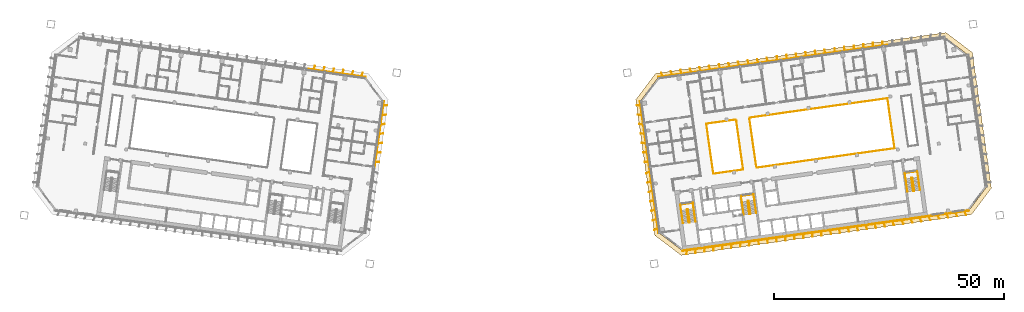
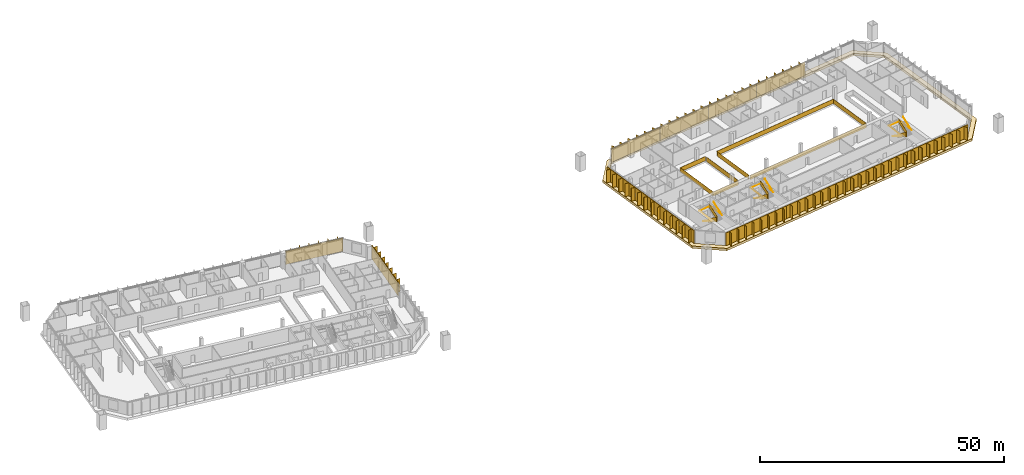
# One storey, part 26 of 27: 12 shading devices, 10 railings, 1 covering.
"""IFC4 building model written with IfcOpenShell, lengths in metres."""

import ifcopenshell
import ifcopenshell.guid

model = None  # the IFC model being written
_history = None  # IfcOwnerHistory: only IFC2X3 demands one
_inside = {}  # id of a spatial element -> (the spatial element, [elements in it])
_under = {}  # id of a project, library or spatial element -> (it, [spatial elements below it])
_declared = {}  # id of a project -> (the project, [libraries it declares])
_typed = {}  # id of a type object -> (the type object, [elements of that type])
_made_of = {}  # id of a material, layer set ... -> (it, [elements and type objects made of it])


def new_model(schema):
    """Start an empty IFC model of exactly this schema.

    Asked for "IFC4X3", IfcOpenShell would pick the latest addendum, in which some entities
    have other attributes; the version numbers below select the first issue.
    IFC2X3 requires an IfcOwnerHistory on every rooted entity: one is made here for all.
    """
    global model, _history
    if schema == "IFC4X3":
        model = ifcopenshell.file(schema_version=(4, 3, 0, 0))
    else:
        model = ifcopenshell.file(schema=schema)
    _inside.clear()
    _under.clear()
    _declared.clear()
    _typed.clear()
    _made_of.clear()
    _history = None
    if model.schema == "IFC2X3":
        org = make("IfcOrganization", Name="unknown")
        user = make(
            "IfcPersonAndOrganization",
            ThePerson=make("IfcPerson", FamilyName="unknown"),
            TheOrganization=org,
        )
        app = make(
            "IfcApplication",
            ApplicationDeveloper=org,
            Version="unknown",
            ApplicationFullName="unknown",
            ApplicationIdentifier="unknown",
        )
        _history = make(
            "IfcOwnerHistory",
            OwningUser=user,
            OwningApplication=app,
            ChangeAction="ADDED",
            CreationDate=0,
        )
    return model


def make(cls, **values):
    """One entity of the class cls with the attributes given. An attribute that is None is left unset."""
    return model.create_entity(
        cls, **{name: value for name, value in values.items() if value is not None}
    )


def rooted(cls, **values):
    """An entity with a GlobalId (a new one), such as an element, a storey or a relation."""
    return make(cls, GlobalId=ifcopenshell.guid.new(), OwnerHistory=_history, **values)


def si_unit(unit_type, name, prefix=None):
    """IfcSIUnit, for example si_unit("LENGTHUNIT", "METRE", prefix="MILLI")."""
    return make("IfcSIUnit", UnitType=unit_type, Prefix=prefix, Name=name)


def assignment(units):
    """IfcUnitAssignment: the units of a project."""
    return None if units is None else make("IfcUnitAssignment", Units=units)


def point(xyz):
    """IfcCartesianPoint."""
    return None if xyz is None else make("IfcCartesianPoint", Coordinates=xyz)


def direction(xyz):
    """IfcDirection."""
    return None if xyz is None else make("IfcDirection", DirectionRatios=xyz)


def frame(location, z_axis=None, x_axis=None):
    """IfcAxis2Placement3D, a coordinate frame: its origin and axes. An axis left out is left unset."""
    return make(
        "IfcAxis2Placement3D",
        Location=point(location),
        Axis=direction(z_axis),
        RefDirection=direction(x_axis),
    )


def frame_2d(location, x_axis=None):
    """IfcAxis2Placement2D, a coordinate frame in the plane: its origin and x axis."""
    return make(
        "IfcAxis2Placement2D", Location=point(location), RefDirection=direction(x_axis)
    )


def origin():
    """The frame at (0, 0, 0) with its axes left unset."""
    return frame((0.0, 0.0, 0.0))


def origin_2d():
    """The frame at (0, 0) in the plane with its x axis left unset."""
    return frame_2d((0.0, 0.0))


def place(relative_to, where):
    """IfcLocalPlacement: puts the frame where relative to a parent placement (None: the world)."""
    return make(
        "IfcLocalPlacement", PlacementRelTo=relative_to, RelativePlacement=where
    )


def context(
    kind, dimensions, precision=None, world=None, true_north=None, identifier=None
):
    """IfcGeometricRepresentationContext, for example the 3D "Model" context."""
    return make(
        "IfcGeometricRepresentationContext",
        ContextIdentifier=identifier,
        ContextType=kind,
        CoordinateSpaceDimension=dimensions,
        Precision=precision,
        WorldCoordinateSystem=world,
        TrueNorth=true_north,
    )


def subcontext(parent, identifier, kind, view, scale=None):
    """IfcGeometricRepresentationSubContext, for example "Body" below "Model"."""
    return make(
        "IfcGeometricRepresentationSubContext",
        ContextIdentifier=identifier,
        ContextType=kind,
        ParentContext=parent,
        TargetScale=scale,
        TargetView=view,
    )


def project(units=None, contexts=None):
    """IfcProject with its units and contexts."""
    return rooted(
        "IfcProject",
        Name="project",
        RepresentationContexts=contexts,
        UnitsInContext=assignment(units),
    )


def spatial(cls, under=None, at=None, **own):
    """A site, building, storey or space (cls), placed at a placement, below another one or the project."""
    s = rooted(cls, ObjectPlacement=at, **own)
    if under is not None:
        _under.setdefault(under.id(), (under, []))[1].append(s)
    return s


def polyline(points):
    """IfcPolyline through the points."""
    return make("IfcPolyline", Points=[point(p) for p in points])


def profile(cls, at=None, kind="AREA", **sizes):
    """A parametric profile (cls). Its sizes go by their IFC names, for example OverallWidth=200.0."""
    return make(cls, ProfileType=kind, Position=at, **sizes)


def rectangle(**sizes):
    """IfcRectangleProfileDef."""
    return profile("IfcRectangleProfileDef", **sizes)


def outline(outer, holes=None, kind="AREA"):
    """IfcArbitraryClosedProfileDef: a profile drawn as a closed curve; with holes, ...WithVoids."""
    if holes is None:
        return make("IfcArbitraryClosedProfileDef", ProfileType=kind, OuterCurve=outer)
    return make(
        "IfcArbitraryProfileDefWithVoids",
        ProfileType=kind,
        OuterCurve=outer,
        InnerCurves=holes,
    )


def extrude(swept, where, along, depth):
    """IfcExtrudedAreaSolid: the profile swept, set in the frame where, extruded along a direction by depth."""
    return make(
        "IfcExtrudedAreaSolid",
        SweptArea=swept,
        Position=where,
        ExtrudedDirection=direction(along),
        Depth=depth,
    )


def shape(context_of_items, identifier, shape_type, items):
    """IfcShapeRepresentation: the items that make up one representation, for example the "Body"."""
    return make(
        "IfcShapeRepresentation",
        ContextOfItems=context_of_items,
        RepresentationIdentifier=identifier,
        RepresentationType=shape_type,
        Items=items,
    )


def material(Name=None, Category=None):
    """IfcMaterial."""
    return make("IfcMaterial", Name=Name, Category=Category)


def layer(
    of_material, thickness, ventilated=None, Name=None, Category=None, Priority=None
):
    """IfcMaterialLayer: one layer of a wall or slab, of a material (None: an air gap)."""
    return make(
        "IfcMaterialLayer",
        Material=of_material,
        LayerThickness=thickness,
        IsVentilated=ventilated,
        Name=Name,
        Category=Category,
        Priority=Priority,
    )


def layer_set(layers, Name=None):
    """IfcMaterialLayerSet."""
    return make("IfcMaterialLayerSet", MaterialLayers=layers, LayerSetName=Name)


def made_of(thing, what):
    """Note that an element or type object is made of a material, layer set ...; save() writes the relation."""
    if what is not None:
        _made_of.setdefault(what.id(), (what, []))[1].append(thing)
    return thing


def type_object(cls, material=None, **own):
    """A type object (cls), such as IfcWallType, which elements share."""
    return made_of(rooted(cls, **own), material)


def element(
    cls,
    number,
    at=None,
    inside=None,
    cuts=None,
    type_object=None,
    material=None,
    context=None,
    identifier="Body",
    shape_type=None,
    held_by="IfcProductDefinitionShape",
    body=None,
    shapes=None,
    **own,
):
    """One element of the class cls, such as IfcWall. Its Tag is "e" and its number.

    at: its placement. inside: the storey or other place that contains it. cuts: it is an
    opening in that element (IfcRelVoidsElement). A single representation is given by context,
    identifier, shape_type and body (its items); several are given by shapes. held_by: the class
    of the entity that holds the representations. save() writes the other relations.
    """
    e = rooted(cls, Tag="e%d" % number, ObjectPlacement=at, **own)
    if body is not None:
        shapes = [shape(context, identifier, shape_type, body)]
    if shapes is not None:
        e.Representation = make(held_by, Representations=shapes)
    if inside is not None:
        _inside.setdefault(inside.id(), (inside, []))[1].append(e)
    if cuts is not None:
        rooted(
            "IfcRelVoidsElement", RelatingBuildingElement=cuts, RelatedOpeningElement=e
        )
    if type_object is not None:
        _typed.setdefault(type_object.id(), (type_object, []))[1].append(e)
    return made_of(e, material)


def aggregate(whole, parts):
    """IfcRelAggregates: a whole, such as a stair, and the parts it consists of."""
    return rooted("IfcRelAggregates", RelatingObject=whole, RelatedObjects=parts)


def save(model, path):
    """Write the relations noted so far, then the file.

    IfcRelAggregates (storeys below a building ...), IfcRelContainedInSpatialStructure (elements
    in a storey), IfcRelDefinesByType, IfcRelAssociatesMaterial and IfcRelDeclares: one each for
    every whole, place, type object, material and project.
    """
    for whole, parts in _under.values():
        aggregate(whole, parts)
    for where, things in _inside.values():
        rooted(
            "IfcRelContainedInSpatialStructure",
            RelatedElements=things,
            RelatingStructure=where,
        )
    for kind, things in _typed.values():
        rooted("IfcRelDefinesByType", RelatedObjects=things, RelatingType=kind)
    for what, things in _made_of.values():
        rooted("IfcRelAssociatesMaterial", RelatedObjects=things, RelatingMaterial=what)
    for by, libraries in _declared.values():
        rooted("IfcRelDeclares", RelatingContext=by, RelatedDefinitions=libraries)
    model.write(path)


model = new_model("IFC4")

# Units and contexts
model_context = context("Model", 3, precision=1e-05, world=origin(), true_north=direction((0.0, 1.0)))
body_context = subcontext(model_context, "Body", "Model", "MODEL_VIEW")
ifc_project = project(units=[si_unit("LENGTHUNIT", "METRE"), si_unit("AREAUNIT", "SQUARE_METRE"), si_unit("VOLUMEUNIT", "CUBIC_METRE"), si_unit("PLANEANGLEUNIT", "RADIAN"), si_unit("MASSUNIT", "GRAM", prefix="KILO")], contexts=[model_context])

# Site, building, storey
site_placement = place(None, origin())
site = spatial("IfcSite", under=ifc_project, at=site_placement, CompositionType="ELEMENT")
building_placement = place(site_placement, origin())
building = spatial("IfcBuilding", under=site, at=building_placement, Name="Mirante Cascada Hotel Towers", CompositionType="ELEMENT")
storey_placement = place(building_placement, frame((0.0, 0.0, 117.7)))
storey = spatial("IfcBuildingStorey", under=building, at=storey_placement, Name="L26", CompositionType="ELEMENT", Elevation=117.7)

# Railings
ifc_material_1 = material(Name="Toughened glass with stainless steel handrail", Category="steel")
railing_type_1 = type_object("IfcRailingType", Name="Atrium guard 1100 glass balustrade", PredefinedType="GUARDRAIL", material=ifc_material_1)
railing_1_placement = place(storey_placement, frame((48.76, 8.3112, 0.0)))
element("IfcRailing", 1, at=railing_1_placement, inside=storey, type_object=railing_type_1, Name="GUARD 2-L26-1", PredefinedType="GUARDRAIL", context=body_context, shape_type="SweptSolid", body=[
    extrude(rectangle(XDim=0.048, YDim=0.048, at=origin_2d()), frame((0.0, 0.0, 1.076), z_axis=(-0.9902694, -0.1391638, 0.0), x_axis=(0.1391638, -0.9902694, 0.0)), (0.0, 0.0, 1.0), 6.5125),
    extrude(rectangle(XDim=0.02, YDim=1.052, at=origin_2d()), frame((0.0, 0.0, 0.526), z_axis=(-0.9902694, -0.1391638, 0.0), x_axis=(0.1391638, -0.9902694, 0.0)), (0.0, 0.0, 1.0), 6.5125),
    extrude(rectangle(XDim=0.048, YDim=0.048, at=origin_2d()), frame((-6.4491, -0.9063, 1.076), z_axis=(0.1391721, -0.9902682, 0.0), x_axis=(0.9902682, 0.1391721, 0.0)), (0.0, 0.0, 1.0), 11.0001),
    extrude(rectangle(XDim=0.02, YDim=1.052, at=origin_2d()), frame((-6.4491, -0.9063, 0.526), z_axis=(0.1391721, -0.9902682, 0.0), x_axis=(0.9902682, 0.1391721, 0.0)), (0.0, 0.0, 1.0), 11.0001),
    extrude(rectangle(XDim=0.048, YDim=0.048, at=origin_2d()), frame((-4.9182, -11.7993, 1.076), z_axis=(0.9902673, 0.1391788, 0.0), x_axis=(-0.1391788, 0.9902673, 0.0)), (0.0, 0.0, 1.0), 6.5125),
    extrude(rectangle(XDim=0.02, YDim=1.052, at=origin_2d()), frame((-4.9182, -11.7993, 0.526), z_axis=(0.9902673, 0.1391788, 0.0), x_axis=(-0.1391788, 0.9902673, 0.0)), (0.0, 0.0, 1.0), 6.5125),
])
railing_2_placement = place(storey_placement, frame((53.2617, -2.1642, 0.0)))
element("IfcRailing", 2, at=railing_2_placement, inside=storey, type_object=railing_type_1, Name="GUARD 2-L26-2", PredefinedType="GUARDRAIL", context=body_context, shape_type="SweptSolid", body=[
    extrude(rectangle(XDim=0.048, YDim=0.048, at=origin_2d()), frame((0.0, 0.0, 1.076), z_axis=(0.9902682, 0.1391722, 0.0), x_axis=(-0.1391722, 0.9902682, 0.0)), (0.0, 0.0, 1.0), 30.325),
    extrude(rectangle(XDim=0.02, YDim=1.052, at=origin_2d()), frame((0.0, 0.0, 0.526), z_axis=(0.9902682, 0.1391722, 0.0), x_axis=(-0.1391722, 0.9902682, 0.0)), (0.0, 0.0, 1.0), 30.325),
    extrude(rectangle(XDim=0.048, YDim=0.048, at=origin_2d()), frame((30.0299, 4.2204, 1.076), z_axis=(-0.1391721, 0.9902682, 0.0), x_axis=(-0.9902682, -0.1391721, 0.0)), (0.0, 0.0, 1.0), 11.0001),
    extrude(rectangle(XDim=0.02, YDim=1.052, at=origin_2d()), frame((30.0299, 4.2204, 0.526), z_axis=(-0.1391721, 0.9902682, 0.0), x_axis=(-0.9902682, -0.1391721, 0.0)), (0.0, 0.0, 1.0), 11.0001),
    extrude(rectangle(XDim=0.048, YDim=0.048, at=origin_2d()), frame((28.499, 15.1134, 1.076), z_axis=(-0.9902682, -0.1391722, 0.0), x_axis=(0.1391722, -0.9902682, 0.0)), (0.0, 0.0, 1.0), 30.325),
    extrude(rectangle(XDim=0.02, YDim=1.052, at=origin_2d()), frame((28.499, 15.1134, 0.526), z_axis=(-0.9902682, -0.1391722, 0.0), x_axis=(0.1391722, -0.9902682, 0.0)), (0.0, 0.0, 1.0), 30.325),
])
railing_3_placement = place(storey_placement, frame((50.2983, -2.2822, 0.0)))
element("IfcRailing", 3, at=railing_3_placement, inside=storey, type_object=railing_type_1, Name="GUARD 2-L26-4", PredefinedType="GUARDRAIL", context=body_context, shape_type="SweptSolid", body=[
    extrude(rectangle(XDim=0.048, YDim=0.048, at=origin_2d()), frame((0.0, 0.0, 1.076), z_axis=(-0.1391708, 0.9902684, 0.0), x_axis=(-0.9902684, -0.1391708, 0.0)), (0.0, 0.0, 1.0), 10.4088),
    extrude(rectangle(XDim=0.02, YDim=1.052, at=origin_2d()), frame((0.0, 0.0, 0.526), z_axis=(-0.1391708, 0.9902684, 0.0), x_axis=(-0.9902684, -0.1391708, 0.0)), (0.0, 0.0, 1.0), 10.4088),
])
railing_4_placement = place(storey_placement, frame((51.7234, 8.4292, 0.0)))
element("IfcRailing", 4, at=railing_4_placement, inside=storey, type_object=railing_type_1, Name="GUARD 2-L26-5", PredefinedType="GUARDRAIL", context=body_context, shape_type="SweptSolid", body=[
    extrude(rectangle(XDim=0.048, YDim=0.048, at=origin_2d()), frame((0.0, 0.0, 1.076), z_axis=(0.1391721, -0.9902682, 0.0), x_axis=(0.9902682, 0.1391721, 0.0)), (0.0, 0.0, 1.0), 10.4087),
    extrude(rectangle(XDim=0.02, YDim=1.052, at=origin_2d()), frame((0.0, 0.0, 0.526), z_axis=(0.1391721, -0.9902682, 0.0), x_axis=(0.9902682, 0.1391721, 0.0)), (0.0, 0.0, 1.0), 10.4087),
])

# Covering
ifc_material_2 = material(Name="Precast concrete C40/50 white", Category="concrete")
ifc_layer = layer(ifc_material_2, 0.6)
ifc_layer_set = layer_set([ifc_layer], Name="Precast concrete SUNSHADE band 1000x600")
covering_type = type_object("IfcCoveringType", Name="Precast concrete SUNSHADE band 1000x600", PredefinedType="CLADDING", material=ifc_layer_set)
covering_placement = place(storey_placement, frame((0.0, 0.0, -0.45)))
element("IfcCovering", 5, at=covering_placement, inside=storey, type_object=covering_type, Name="Precast concrete SUNSHADE band T2 L26", PredefinedType="CLADDING", context=body_context, shape_type="SweptSolid", body=[
    extrude(outline(polyline([(26.9341, 12.6299), (31.2626, 18.374), (94.4698, 27.2572), (100.2139, 22.9287), (104.3652, -6.6094), (100.0367, -12.3535), (36.8295, -21.2367), (31.0854, -16.9082), (26.9341, 12.6299)]), holes=[polyline([(103.3173, -6.3384), (99.2813, 22.3794), (94.1988, 26.2093), (31.8119, 17.4414), (27.982, 12.3589), (32.018, -16.3589), (37.1005, -20.1888), (99.4874, -11.4209), (103.3173, -6.3384)])]), origin(), (0.0, 0.0, 1.0), 0.6),
])

# Railings
ifc_material_3 = material(Name="Painted steel", Category="steel")
railing_type_2 = type_object("IfcRailingType", Name="Stair guard 1100 steel balustrade", PredefinedType="GUARDRAIL", material=ifc_material_3)
railing_5_placement = place(storey_placement, frame((38.2663, -11.2395, 0.0)))
element("IfcRailing", 6, at=railing_5_placement, inside=storey, type_object=railing_type_2, Name="L26 ST2-A stair guard 1", PredefinedType="GUARDRAIL", context=body_context, shape_type="SweptSolid", body=[
    extrude(rectangle(XDim=0.048, YDim=0.048, at=origin_2d()), frame((0.0, 0.0, 1.076), z_axis=(-0.9903326, -0.1387133, 0.0), x_axis=(0.1387133, -0.9903326, 0.0)), (0.0, 0.0, 1.0), 0.1499),
    extrude(rectangle(XDim=0.02, YDim=1.052, at=origin_2d()), frame((0.0, 0.0, 0.526), z_axis=(-0.9903326, -0.1387133, 0.0), x_axis=(0.1387133, -0.9903326, 0.0)), (0.0, 0.0, 1.0), 0.1499),
    extrude(rectangle(XDim=0.048, YDim=0.048, at=origin_2d()), frame((-0.1485, -0.0208, 1.076), z_axis=(-0.6020331, -0.7984711, 0.0), x_axis=(0.7984711, -0.6020331, 0.0)), (0.0, 0.9253398, 0.3791387), 0.1866),
    extrude(rectangle(XDim=0.02, YDim=1.052, at=origin_2d()), frame((-0.1485, -0.0208, 0.526), z_axis=(-0.6020331, -0.7984711, 0.0), x_axis=(0.7984711, -0.6020331, 0.0)), (0.0, 0.9253398, 0.3791387), 0.1866),
    extrude(rectangle(XDim=0.048, YDim=0.048, at=origin_2d()), frame((-0.1911, -0.0773, 1.2487), z_axis=(0.139176, -0.9902677, 0.0), x_axis=(0.9902677, 0.139176, 0.0)), (0.0, 0.5250212, 0.8510891), 3.29),
    extrude(rectangle(XDim=0.02, YDim=1.052, at=origin_2d()), frame((-0.1911, -0.0773, 0.6987), z_axis=(0.139176, -0.9902677, 0.0), x_axis=(0.9902677, 0.139176, 0.0)), (0.0, 0.5250212, 0.8510891), 3.29),
    extrude(rectangle(XDim=0.048, YDim=0.048, at=origin_2d()), frame((0.1986, -2.8501, 2.976), z_axis=(0.9944948, -0.1047858, 0.0), x_axis=(0.1047858, 0.9944948, 0.0)), (0.0, 0.0, 1.0), 0.2061),
    extrude(rectangle(XDim=0.02, YDim=1.052, at=origin_2d()), frame((0.1986, -2.8501, 2.426), z_axis=(0.9944948, -0.1047858, 0.0), x_axis=(0.1047858, 0.9944948, 0.0)), (0.0, 0.0, 1.0), 0.2061),
    extrude(rectangle(XDim=0.048, YDim=0.048, at=origin_2d()), frame((0.4036, -2.8717, 2.976), z_axis=(-0.9902408, -0.1393672, 0.0), x_axis=(0.1393672, -0.9902408, 0.0)), (0.0, 0.0, 1.0), 0.15),
    extrude(rectangle(XDim=0.02, YDim=1.052, at=origin_2d()), frame((0.4036, -2.8717, 2.426), z_axis=(-0.9902408, -0.1393672, 0.0), x_axis=(0.1393672, -0.9902408, 0.0)), (0.0, 0.0, 1.0), 0.15),
    extrude(rectangle(XDim=0.048, YDim=0.048, at=origin_2d()), frame((0.2551, -2.8926, 2.976), z_axis=(0.9270311, 0.3749843, 0.0), x_axis=(-0.3749843, 0.9270311, 0.0)), (0.0, 0.6421903, 0.7665452), 0.2689),
    extrude(rectangle(XDim=0.02, YDim=1.052, at=origin_2d()), frame((0.2551, -2.8926, 2.426), z_axis=(0.9270311, 0.3749843, 0.0), x_axis=(-0.3749843, 0.9270311, 0.0)), (0.0, 0.6421903, 0.7665452), 0.2689),
    extrude(rectangle(XDim=0.048, YDim=0.048, at=origin_2d()), frame((0.4462, -2.8153, 3.1487), z_axis=(-0.139176, 0.9902677, 0.0), x_axis=(-0.9902677, -0.139176, 0.0)), (0.0, 0.5250212, 0.8510891), 3.29),
    extrude(rectangle(XDim=0.02, YDim=1.052, at=origin_2d()), frame((0.4462, -2.8153, 2.5987), z_axis=(-0.139176, 0.9902677, 0.0), x_axis=(-0.9902677, -0.139176, 0.0)), (0.0, 0.5250212, 0.8510891), 3.29),
])
railing_6_placement = place(storey_placement, frame((51.4864, -9.3815, 0.0)))
element("IfcRailing", 7, at=railing_6_placement, inside=storey, type_object=railing_type_2, Name="L26 ST2-B stair guard 1", PredefinedType="GUARDRAIL", context=body_context, shape_type="SweptSolid", body=[
    extrude(rectangle(XDim=0.048, YDim=0.048, at=origin_2d()), frame((0.0, 0.0, 1.076), z_axis=(-0.9902408, -0.1393672, 0.0), x_axis=(0.1393672, -0.9902408, 0.0)), (0.0, 0.0, 1.0), 0.15),
    extrude(rectangle(XDim=0.02, YDim=1.052, at=origin_2d()), frame((0.0, 0.0, 0.526), z_axis=(-0.9902408, -0.1393672, 0.0), x_axis=(0.1393672, -0.9902408, 0.0)), (0.0, 0.0, 1.0), 0.15),
    extrude(rectangle(XDim=0.048, YDim=0.048, at=origin_2d()), frame((-0.1485, -0.0209, 1.076), z_axis=(-0.6020331, -0.7984711, 0.0), x_axis=(0.7984711, -0.6020331, 0.0)), (0.0, 0.9253398, 0.3791387), 0.1866),
    extrude(rectangle(XDim=0.02, YDim=1.052, at=origin_2d()), frame((-0.1485, -0.0209, 0.526), z_axis=(-0.6020331, -0.7984711, 0.0), x_axis=(0.7984711, -0.6020331, 0.0)), (0.0, 0.9253398, 0.3791387), 0.1866),
    extrude(rectangle(XDim=0.048, YDim=0.048, at=origin_2d()), frame((-0.1911, -0.0774, 1.2487), z_axis=(0.139181, -0.990267, 0.0), x_axis=(0.990267, 0.139181, 0.0)), (0.0, 0.5250347, 0.8510808), 3.2899),
    extrude(rectangle(XDim=0.02, YDim=1.052, at=origin_2d()), frame((-0.1911, -0.0774, 0.6987), z_axis=(0.139181, -0.990267, 0.0), x_axis=(0.990267, 0.139181, 0.0)), (0.0, 0.5250347, 0.8510808), 3.2899),
    extrude(rectangle(XDim=0.048, YDim=0.048, at=origin_2d()), frame((0.1986, -2.8501, 2.976), z_axis=(0.9944441, -0.1052656, 0.0), x_axis=(0.1052656, 0.9944441, 0.0)), (0.0, 0.0, 1.0), 0.2061),
    extrude(rectangle(XDim=0.02, YDim=1.052, at=origin_2d()), frame((0.1986, -2.8501, 2.426), z_axis=(0.9944441, -0.1052656, 0.0), x_axis=(0.1052656, 0.9944441, 0.0)), (0.0, 0.0, 1.0), 0.2061),
    extrude(rectangle(XDim=0.048, YDim=0.048, at=origin_2d()), frame((0.4036, -2.8718, 2.976), z_axis=(-0.9902408, -0.1393672, 0.0), x_axis=(0.1393672, -0.9902408, 0.0)), (0.0, 0.0, 1.0), 0.15),
    extrude(rectangle(XDim=0.02, YDim=1.052, at=origin_2d()), frame((0.4036, -2.8718, 2.426), z_axis=(-0.9902408, -0.1393672, 0.0), x_axis=(0.1393672, -0.9902408, 0.0)), (0.0, 0.0, 1.0), 0.15),
    extrude(rectangle(XDim=0.048, YDim=0.048, at=origin_2d()), frame((0.2551, -2.8927, 2.976), z_axis=(0.9268624, 0.3754011, 0.0), x_axis=(-0.3754011, 0.9268624, 0.0)), (0.0, 0.6421217, 0.7666028), 0.269),
    extrude(rectangle(XDim=0.02, YDim=1.052, at=origin_2d()), frame((0.2551, -2.8927, 2.426), z_axis=(0.9268624, 0.3754011, 0.0), x_axis=(-0.3754011, 0.9268624, 0.0)), (0.0, 0.6421217, 0.7666028), 0.269),
    extrude(rectangle(XDim=0.048, YDim=0.048, at=origin_2d()), frame((0.4462, -2.8153, 3.1487), z_axis=(-0.139181, 0.990267, 0.0), x_axis=(-0.990267, -0.139181, 0.0)), (0.0, 0.5250347, 0.8510808), 3.2899),
    extrude(rectangle(XDim=0.02, YDim=1.052, at=origin_2d()), frame((0.4462, -2.8153, 2.5987), z_axis=(-0.139181, 0.990267, 0.0), x_axis=(-0.990267, -0.139181, 0.0)), (0.0, 0.5250347, 0.8510808), 3.2899),
])
railing_7_placement = place(storey_placement, frame((87.1361, -4.3713, 0.0)))
element("IfcRailing", 8, at=railing_7_placement, inside=storey, type_object=railing_type_2, Name="L26 ST2-C stair guard 1", PredefinedType="GUARDRAIL", context=body_context, shape_type="SweptSolid", body=[
    extrude(rectangle(XDim=0.048, YDim=0.048, at=origin_2d()), frame((0.0, 0.0, 1.076), z_axis=(-0.9902537, -0.1392753, 0.0), x_axis=(0.1392753, -0.9902537, 0.0)), (0.0, 0.0, 1.0), 0.1501),
    extrude(rectangle(XDim=0.02, YDim=1.052, at=origin_2d()), frame((0.0, 0.0, 0.526), z_axis=(-0.9902537, -0.1392753, 0.0), x_axis=(0.1392753, -0.9902537, 0.0)), (0.0, 0.0, 1.0), 0.1501),
    extrude(rectangle(XDim=0.048, YDim=0.048, at=origin_2d()), frame((-0.1486, -0.0209, 1.076), z_axis=(-0.601811, -0.7986386, 0.0), x_axis=(0.7986386, -0.601811, 0.0)), (0.0, 0.925603, 0.3784959), 0.1866),
    extrude(rectangle(XDim=0.02, YDim=1.052, at=origin_2d()), frame((-0.1486, -0.0209, 0.526), z_axis=(-0.601811, -0.7986386, 0.0), x_axis=(0.7986386, -0.601811, 0.0)), (0.0, 0.925603, 0.3784959), 0.1866),
    extrude(rectangle(XDim=0.048, YDim=0.048, at=origin_2d()), frame((-0.1911, -0.0773, 1.2487), z_axis=(0.139176, -0.9902677, 0.0), x_axis=(0.9902677, 0.139176, 0.0)), (0.0, 0.5250212, 0.8510891), 3.29),
    extrude(rectangle(XDim=0.02, YDim=1.052, at=origin_2d()), frame((-0.1911, -0.0773, 0.6987), z_axis=(0.139176, -0.9902677, 0.0), x_axis=(0.9902677, 0.139176, 0.0)), (0.0, 0.5250212, 0.8510891), 3.29),
    extrude(rectangle(XDim=0.048, YDim=0.048, at=origin_2d()), frame((0.1986, -2.8501, 2.976), z_axis=(0.9944441, -0.1052656, 0.0), x_axis=(0.1052656, 0.9944441, 0.0)), (0.0, 0.0, 1.0), 0.2061),
    extrude(rectangle(XDim=0.02, YDim=1.052, at=origin_2d()), frame((0.1986, -2.8501, 2.426), z_axis=(0.9944441, -0.1052656, 0.0), x_axis=(0.1052656, 0.9944441, 0.0)), (0.0, 0.0, 1.0), 0.2061),
    extrude(rectangle(XDim=0.048, YDim=0.048, at=origin_2d()), frame((0.4036, -2.8718, 2.976), z_axis=(-0.9903454, -0.1386217, 0.0), x_axis=(0.1386217, -0.9903454, 0.0)), (0.0, 0.0, 1.0), 0.15),
    extrude(rectangle(XDim=0.02, YDim=1.052, at=origin_2d()), frame((0.4036, -2.8718, 2.426), z_axis=(-0.9903454, -0.1386217, 0.0), x_axis=(0.1386217, -0.9903454, 0.0)), (0.0, 0.0, 1.0), 0.15),
    extrude(rectangle(XDim=0.048, YDim=0.048, at=origin_2d()), frame((0.255, -2.8926, 2.976), z_axis=(0.9270311, 0.3749843, 0.0), x_axis=(-0.3749843, 0.9270311, 0.0)), (0.0, 0.6421903, 0.7665452), 0.2689),
    extrude(rectangle(XDim=0.02, YDim=1.052, at=origin_2d()), frame((0.255, -2.8926, 2.426), z_axis=(0.9270311, 0.3749843, 0.0), x_axis=(-0.3749843, 0.9270311, 0.0)), (0.0, 0.6421903, 0.7665452), 0.2689),
    extrude(rectangle(XDim=0.048, YDim=0.048, at=origin_2d()), frame((0.4461, -2.8153, 3.1487), z_axis=(-0.139176, 0.9902677, 0.0), x_axis=(-0.9902677, -0.139176, 0.0)), (0.0, 0.5250212, 0.8510891), 3.29),
    extrude(rectangle(XDim=0.02, YDim=1.052, at=origin_2d()), frame((0.4461, -2.8153, 2.5987), z_axis=(-0.139176, 0.9902677, 0.0), x_axis=(-0.9902677, -0.139176, 0.0)), (0.0, 0.5250212, 0.8510891), 3.29),
])
ifc_material_4 = material(Name="Painted steel", Category="steel")
railing_type_3 = type_object("IfcRailingType", Name="Stair handrail 900 steel tube", PredefinedType="HANDRAIL", material=ifc_material_4)
railing_8_placement = place(storey_placement, frame((36.8374, -11.4908, 0.1727)))
element("IfcRailing", 9, at=railing_8_placement, inside=storey, type_object=railing_type_3, Name="L26 ST2-A stair handrail 1", PredefinedType="HANDRAIL", context=body_context, shape_type="SweptSolid", body=[
    extrude(rectangle(XDim=0.048, YDim=0.048, at=origin_2d()), frame((0.0, 0.0, 0.876), z_axis=(0.139181, -0.990267, 0.0), x_axis=(0.990267, 0.139181, 0.0)), (0.0, 0.5250347, 0.8510808), 3.2899),
    extrude(rectangle(XDim=0.048, YDim=0.048, at=origin_2d()), frame((0.3897, -2.7727, 2.6033), z_axis=(-0.1391707, 0.9902684, 0.0), x_axis=(-0.9902684, -0.1391707, 0.0)), (0.0, 0.0420846, 0.999114), 4.1036),
    extrude(rectangle(XDim=0.048, YDim=0.048, at=origin_2d()), frame((-0.1809, 1.2874, 2.776), z_axis=(0.9902691, 0.1391657, 0.0), x_axis=(-0.1391657, 0.9902691, 0.0)), (0.0, 0.0, 1.0), 2.75),
    extrude(rectangle(XDim=0.048, YDim=0.048, at=origin_2d()), frame((2.5423, 1.6701, 2.776), z_axis=(0.1391707, -0.9902684, 0.0), x_axis=(0.9902684, 0.1391707, 0.0)), (0.0, 0.0, 1.0), 4.1),
    extrude(rectangle(XDim=0.048, YDim=0.048, at=origin_2d()), frame((3.1129, -2.39, 2.776), z_axis=(-0.139181, 0.990267, 0.0), x_axis=(-0.990267, -0.139181, 0.0)), (0.0, 0.5250347, 0.8510808), 3.2899),
])
railing_9_placement = place(storey_placement, frame((50.0575, -9.6328, 0.1727)))
element("IfcRailing", 10, at=railing_9_placement, inside=storey, type_object=railing_type_3, Name="L26 ST2-B stair handrail 1", PredefinedType="HANDRAIL", context=body_context, shape_type="SweptSolid", body=[
    extrude(rectangle(XDim=0.048, YDim=0.048, at=origin_2d()), frame((0.0, 0.0, 0.876), z_axis=(0.139176, -0.9902677, 0.0), x_axis=(0.9902677, 0.139176, 0.0)), (0.0, 0.5250212, 0.8510891), 3.29),
    extrude(rectangle(XDim=0.048, YDim=0.048, at=origin_2d()), frame((0.3897, -2.7728, 2.6033), z_axis=(-0.1391707, 0.9902684, 0.0), x_axis=(-0.9902684, -0.1391707, 0.0)), (0.0, 0.0420846, 0.999114), 4.1036),
    extrude(rectangle(XDim=0.048, YDim=0.048, at=origin_2d()), frame((-0.1809, 1.2873, 2.776), z_axis=(0.9902641, 0.1392013, 0.0), x_axis=(-0.1392013, 0.9902641, 0.0)), (0.0, 0.0, 1.0), 2.75),
    extrude(rectangle(XDim=0.048, YDim=0.048, at=origin_2d()), frame((2.5423, 1.6701, 2.776), z_axis=(0.1391707, -0.9902684, 0.0), x_axis=(0.9902684, 0.1391707, 0.0)), (0.0, 0.0, 1.0), 4.1),
    extrude(rectangle(XDim=0.048, YDim=0.048, at=origin_2d()), frame((3.1129, -2.39, 2.776), z_axis=(-0.139181, 0.990267, 0.0), x_axis=(-0.990267, -0.139181, 0.0)), (0.0, 0.5250347, 0.8510808), 3.2899),
])
railing_10_placement = place(storey_placement, frame((85.7071, -4.6226, 0.1727)))
element("IfcRailing", 11, at=railing_10_placement, inside=storey, type_object=railing_type_3, Name="L26 ST2-C stair handrail 1", PredefinedType="HANDRAIL", context=body_context, shape_type="SweptSolid", body=[
    extrude(rectangle(XDim=0.048, YDim=0.048, at=origin_2d()), frame((0.0, 0.0, 0.876), z_axis=(0.139181, -0.990267, 0.0), x_axis=(0.990267, 0.139181, 0.0)), (0.0, 0.5250347, 0.8510808), 3.2899),
    extrude(rectangle(XDim=0.048, YDim=0.048, at=origin_2d()), frame((0.3897, -2.7727, 2.6033), z_axis=(-0.1391707, 0.9902684, 0.0), x_axis=(-0.9902684, -0.1391707, 0.0)), (0.0, 0.0420846, 0.999114), 4.1036),
    extrude(rectangle(XDim=0.048, YDim=0.048, at=origin_2d()), frame((-0.1809, 1.2874, 2.776), z_axis=(0.9902691, 0.1391657, 0.0), x_axis=(-0.1391657, 0.9902691, 0.0)), (0.0, 0.0, 1.0), 2.75),
    extrude(rectangle(XDim=0.048, YDim=0.048, at=origin_2d()), frame((2.5423, 1.6701, 2.776), z_axis=(0.1391947, -0.990265, 0.0), x_axis=(0.990265, 0.1391947, 0.0)), (0.0, 0.0, 1.0), 4.1),
    extrude(rectangle(XDim=0.048, YDim=0.048, at=origin_2d()), frame((3.113, -2.39, 2.776), z_axis=(-0.139181, 0.990267, 0.0), x_axis=(-0.990267, -0.139181, 0.0)), (0.0, 0.5250347, 0.8510808), 3.2899),
])

# Shading devices
ifc_material_5 = material(Name="White precast concrete C50/60 fin", Category="concrete")
shading_device_type = type_object("IfcShadingDeviceType", Name="Vertical fin set 4500x900", PredefinedType="USERDEFINED", material=ifc_material_5)
shading_device_1_placement = place(storey_placement, origin())
element("IfcShadingDevice", 12, at=shading_device_1_placement, inside=storey, type_object=shading_device_type, Name="FIN T1 L26 front 5", ObjectType="FIN", PredefinedType="USERDEFINED", context=body_context, shape_type="SweptSolid", body=[
    extrude(outline(polyline([(-32.4493, 18.4994), (-32.7765, 17.7284), (-31.791, 17.5899), (-31.8119, 17.4414), (-44.2893, 19.195), (-44.2684, 19.3435), (-43.2564, 19.2013), (-42.9208, 19.9919), (-42.8471, 19.9607), (-43.1744, 19.1897), (-41.1768, 18.909), (-40.8412, 19.6997), (-40.7676, 19.6684), (-41.0948, 18.8975), (-39.0973, 18.6167), (-38.7616, 19.4074), (-38.688, 19.3761), (-39.0152, 18.6052), (-37.0177, 18.3245), (-36.6821, 19.1151), (-36.6084, 19.0839), (-36.9357, 18.3129), (-34.9381, 18.0322), (-34.6025, 18.8229), (-34.5289, 18.7916), (-34.8561, 18.0207), (-32.8586, 17.7399), (-32.5229, 18.5306), (-32.4493, 18.4994)])), origin(), (0.0, 0.0, 1.0), 3.35),
])
shading_device_2_placement = place(storey_placement, origin())
element("IfcShadingDevice", 13, at=shading_device_2_placement, inside=storey, type_object=shading_device_type, Name="FIN T1 L26 inner 1", ObjectType="FIN", PredefinedType="USERDEFINED", context=body_context, shape_type="SweptSolid", body=[
    extrude(outline(polyline([(-29.7112, -1.023), (-29.8515, -2.0209), (-30.0, -2.0), (-27.982, 12.3589), (-27.8334, 12.338), (-27.97, 11.3667), (-27.1387, 11.4687), (-27.1289, 11.3893), (-27.9815, 11.2846), (-28.2583, 9.3154), (-27.427, 9.4174), (-27.4172, 9.338), (-28.2698, 9.2334), (-28.5465, 7.2641), (-27.7153, 7.3662), (-27.7055, 7.2868), (-28.5581, 7.1821), (-28.8348, 5.2128), (-28.0036, 5.3149), (-27.9938, 5.2355), (-28.8464, 5.1308), (-29.1231, 3.1616), (-28.2918, 3.2636), (-28.2821, 3.1842), (-29.1346, 3.0796), (-29.4114, 1.1103), (-28.5801, 1.2124), (-28.5704, 1.133), (-29.4229, 1.0283), (-29.6997, -0.941), (-28.8684, -0.8389), (-28.8587, -0.9183), (-29.7112, -1.023)])), origin(), (0.0, 0.0, 1.0), 3.35),
])
shading_device_3_placement = place(storey_placement, origin())
element("IfcShadingDevice", 14, at=shading_device_3_placement, inside=storey, type_object=shading_device_type, Name="FIN T2 L26 front 2", ObjectType="FIN", PredefinedType="USERDEFINED", context=body_context, shape_type="SweptSolid", body=[
    extrude(outline(polyline([(70.3021, 23.8476), (70.3094, 23.0033), (72.3091, 23.2844), (72.3016, 24.1392), (72.3816, 24.1399), (72.389, 23.2956), (74.3886, 23.5766), (74.3812, 24.4314), (74.4612, 24.4321), (74.4686, 23.5878), (76.4682, 23.8689), (76.4608, 24.7237), (76.5407, 24.7244), (76.5481, 23.8801), (78.5478, 24.1611), (78.5403, 25.0159), (78.6203, 25.0166), (78.6277, 24.1724), (80.6273, 24.4534), (80.6199, 25.3082), (80.6999, 25.3089), (80.7072, 24.4646), (81.7006, 24.6042), (81.7214, 24.4557), (69.2441, 22.7021), (69.2232, 22.8507), (70.2295, 22.9921), (70.2221, 23.8469), (70.3021, 23.8476)])), origin(), (0.0, 0.0, 1.0), 3.35),
])
shading_device_4_placement = place(storey_placement, origin())
element("IfcShadingDevice", 15, at=shading_device_4_placement, inside=storey, type_object=shading_device_type, Name="FIN T2 L26 front 3", ObjectType="FIN", PredefinedType="USERDEFINED", context=body_context, shape_type="SweptSolid", body=[
    extrude(outline(polyline([(57.7069, 22.0905), (57.8252, 21.2488), (59.8255, 21.5299), (59.7072, 22.3716), (59.7865, 22.3828), (59.9048, 21.541), (61.9051, 21.8222), (61.7868, 22.6639), (61.866, 22.675), (61.9843, 21.8333), (63.9847, 22.1144), (63.8664, 22.9562), (63.9456, 22.9673), (64.0639, 22.1256), (66.0642, 22.4067), (65.9459, 23.2484), (66.0251, 23.2596), (66.1434, 22.4178), (68.1438, 22.699), (68.0255, 23.5407), (68.1047, 23.5518), (68.223, 22.7101), (69.2232, 22.8507), (69.2441, 22.7021), (56.7667, 20.9485), (56.7458, 21.0971), (57.746, 21.2376), (57.6277, 22.0794), (57.7069, 22.0905)])), origin(), (0.0, 0.0, 1.0), 3.35),
])
shading_device_5_placement = place(storey_placement, origin())
element("IfcShadingDevice", 16, at=shading_device_5_placement, inside=storey, type_object=shading_device_type, Name="FIN T2 L26 front 4", ObjectType="FIN", PredefinedType="USERDEFINED", context=body_context, shape_type="SweptSolid", body=[
    extrude(outline(polyline([(45.1132, 20.3181), (45.3416, 19.4943), (47.3413, 19.7754), (47.1157, 20.589), (47.1928, 20.6103), (47.4212, 19.7866), (49.4209, 20.0676), (49.1952, 20.8812), (49.2723, 20.9026), (49.5008, 20.0789), (51.5004, 20.3599), (51.2748, 21.1735), (51.3519, 21.1949), (51.5803, 20.3711), (53.58, 20.6521), (53.3544, 21.4657), (53.4314, 21.4871), (53.6599, 20.6634), (55.6595, 20.9444), (55.4339, 21.758), (55.511, 21.7794), (55.7394, 20.9556), (56.7458, 21.0971), (56.7667, 20.9485), (44.2893, 19.195), (44.2684, 19.3435), (45.2617, 19.4831), (45.0361, 20.2967), (45.1132, 20.3181)])), origin(), (0.0, 0.0, 1.0), 3.35),
])
shading_device_6_placement = place(storey_placement, origin())
element("IfcShadingDevice", 17, at=shading_device_6_placement, inside=storey, type_object=shading_device_type, Name="FIN T2 L26 front 5", ObjectType="FIN", PredefinedType="USERDEFINED", context=body_context, shape_type="SweptSolid", body=[
    extrude(outline(polyline([(32.5229, 18.5306), (32.8586, 17.7399), (34.8561, 18.0207), (34.5289, 18.7916), (34.6025, 18.8229), (34.9381, 18.0322), (36.9357, 18.3129), (36.6084, 19.0839), (36.6821, 19.1151), (37.0177, 18.3245), (39.0152, 18.6052), (38.688, 19.3761), (38.7616, 19.4074), (39.0973, 18.6167), (41.0948, 18.8975), (40.7676, 19.6684), (40.8412, 19.6997), (41.1768, 18.909), (43.1744, 19.1897), (42.8471, 19.9607), (42.9208, 19.9919), (43.2564, 19.2013), (44.2684, 19.3435), (44.2893, 19.195), (31.8119, 17.4414), (31.791, 17.5899), (32.7765, 17.7284), (32.4493, 18.4994), (32.5229, 18.5306)])), origin(), (0.0, 0.0, 1.0), 3.35),
])
shading_device_7_placement = place(storey_placement, origin())
element("IfcShadingDevice", 18, at=shading_device_7_placement, inside=storey, type_object=shading_device_type, Name="FIN T2 L26 inner 1", ObjectType="FIN", PredefinedType="USERDEFINED", context=body_context, shape_type="SweptSolid", body=[
    extrude(outline(polyline([(28.8684, -0.8389), (29.6997, -0.941), (29.4229, 1.0283), (28.5704, 1.133), (28.5801, 1.2124), (29.4114, 1.1103), (29.1346, 3.0796), (28.2821, 3.1842), (28.2918, 3.2636), (29.1231, 3.1616), (28.8464, 5.1308), (27.9938, 5.2355), (28.0036, 5.3149), (28.8348, 5.2128), (28.5581, 7.1821), (27.7055, 7.2868), (27.7153, 7.3662), (28.5465, 7.2641), (28.2698, 9.2334), (27.4172, 9.338), (27.427, 9.4174), (28.2583, 9.3154), (27.9815, 11.2846), (27.1289, 11.3893), (27.1387, 11.4687), (27.97, 11.3667), (27.8334, 12.338), (27.982, 12.3589), (30.0, -2.0), (29.8515, -2.0209), (29.7112, -1.023), (28.8587, -0.9183), (28.8684, -0.8389)])), origin(), (0.0, 0.0, 1.0), 3.35),
])
shading_device_8_placement = place(storey_placement, origin())
element("IfcShadingDevice", 19, at=shading_device_8_placement, inside=storey, type_object=shading_device_type, Name="FIN T2 L26 inner 2", ObjectType="FIN", PredefinedType="USERDEFINED", context=body_context, shape_type="SweptSolid", body=[
    extrude(outline(polyline([(30.9308, -15.662), (31.7214, -15.3264), (31.4447, -13.3571), (30.6737, -13.6844), (30.6425, -13.6107), (31.4331, -13.2751), (31.1564, -11.3059), (30.3854, -11.6331), (30.3542, -11.5595), (31.1449, -11.2238), (30.8681, -9.2546), (30.0972, -9.5818), (30.0659, -9.5082), (30.8566, -9.1726), (30.5798, -7.2033), (29.8089, -7.5306), (29.7776, -7.4569), (30.5683, -7.1213), (30.2915, -5.1521), (29.5206, -5.4793), (29.4893, -5.4057), (30.28, -5.07), (30.0032, -3.1008), (29.2323, -3.428), (29.201, -3.3544), (29.9917, -3.0188), (29.8515, -2.0209), (30.0, -2.0), (32.018, -16.3589), (31.8695, -16.3798), (31.733, -15.4084), (30.962, -15.7356), (30.9308, -15.662)])), origin(), (0.0, 0.0, 1.0), 3.35),
])
shading_device_9_placement = place(storey_placement, origin())
element("IfcShadingDevice", 20, at=shading_device_9_placement, inside=storey, type_object=shading_device_type, Name="FIN T2 L26 rear 1", ObjectType="FIN", PredefinedType="USERDEFINED", context=body_context, shape_type="SweptSolid", body=[
    extrude(outline(polyline([(37.9398, -21.0393), (38.0419, -20.208), (37.1214, -20.3374), (37.1005, -20.1888), (52.6972, -17.9968), (52.7181, -18.1454), (51.771, -18.2785), (51.6664, -19.131), (51.587, -19.1213), (51.689, -18.29), (49.8214, -18.5525), (49.7168, -19.405), (49.6374, -19.3953), (49.7394, -18.564), (47.8719, -18.8265), (47.7672, -19.679), (47.6878, -19.6693), (47.7898, -18.838), (45.9223, -19.1005), (45.8176, -19.953), (45.7382, -19.9433), (45.8403, -19.112), (43.9727, -19.3745), (43.868, -20.227), (43.7886, -20.2173), (43.8907, -19.386), (42.0231, -19.6485), (41.9184, -20.501), (41.839, -20.4913), (41.9411, -19.66), (40.0735, -19.9225), (39.9688, -20.775), (39.8894, -20.7653), (39.9915, -19.934), (38.1239, -20.1965), (38.0192, -21.049), (37.9398, -21.0393)])), origin(), (0.0, 0.0, 1.0), 3.35),
])
shading_device_10_placement = place(storey_placement, origin())
element("IfcShadingDevice", 21, at=shading_device_10_placement, inside=storey, type_object=shading_device_type, Name="FIN T2 L26 rear 2", ObjectType="FIN", PredefinedType="USERDEFINED", context=body_context, shape_type="SweptSolid", body=[
    extrude(outline(polyline([(53.6931, -18.8597), (53.6488, -18.0146), (52.7181, -18.1454), (52.6972, -17.9968), (68.2939, -15.8049), (68.3148, -15.9534), (67.3755, -16.0854), (67.4201, -16.9376), (67.3402, -16.9417), (67.2959, -16.0966), (65.4259, -16.3594), (65.4705, -17.2116), (65.3906, -17.2157), (65.3463, -16.3706), (63.4763, -16.6334), (63.5209, -17.4856), (63.441, -17.4897), (63.3967, -16.6446), (61.5267, -16.9074), (61.5713, -17.7596), (61.4914, -17.7637), (61.4472, -16.9186), (59.5771, -17.1814), (59.6217, -18.0335), (59.5419, -18.0377), (59.4976, -17.1926), (57.6275, -17.4554), (57.6722, -18.3075), (57.5923, -18.3117), (57.548, -17.4666), (55.6779, -17.7294), (55.7226, -18.5815), (55.6427, -18.5857), (55.5984, -17.7406), (53.7283, -18.0034), (53.773, -18.8555), (53.6931, -18.8597)])), origin(), (0.0, 0.0, 1.0), 3.35),
])
shading_device_11_placement = place(storey_placement, origin())
element("IfcShadingDevice", 22, at=shading_device_11_placement, inside=storey, type_object=shading_device_type, Name="FIN T2 L26 rear 3", ObjectType="FIN", PredefinedType="USERDEFINED", context=body_context, shape_type="SweptSolid", body=[
    extrude(outline(polyline([(69.4461, -16.6528), (69.2542, -15.8214), (68.3148, -15.9534), (68.2939, -15.8049), (83.8907, -13.6129), (83.9115, -13.7614), (82.9808, -13.8922), (83.1712, -14.7168), (83.0933, -14.7348), (82.9013, -13.9034), (81.0312, -14.1662), (81.2216, -14.9908), (81.1437, -15.0088), (80.9517, -14.1774), (79.0817, -14.4402), (79.272, -15.2648), (79.1941, -15.2828), (79.0021, -14.4514), (77.1321, -14.7142), (77.3224, -15.5388), (77.2445, -15.5568), (77.0525, -14.7254), (75.1825, -14.9882), (75.3729, -15.8128), (75.2949, -15.8308), (75.103, -14.9994), (73.2329, -15.2622), (73.4233, -16.0868), (73.3453, -16.1048), (73.1534, -15.2734), (71.2833, -15.5362), (71.4737, -16.3608), (71.3957, -16.3788), (71.2038, -15.5474), (69.3337, -15.8102), (69.5241, -16.6348), (69.4461, -16.6528)])), origin(), (0.0, 0.0, 1.0), 3.35),
])
shading_device_12_placement = place(storey_placement, origin())
element("IfcShadingDevice", 23, at=shading_device_12_placement, inside=storey, type_object=shading_device_type, Name="FIN T2 L26 rear 4", ObjectType="FIN", PredefinedType="USERDEFINED", context=body_context, shape_type="SweptSolid", body=[
    extrude(outline(polyline([(85.1942, -14.419), (84.8586, -13.6283), (83.9115, -13.7614), (83.8907, -13.6129), (99.4874, -11.4209), (99.5083, -11.5694), (98.5877, -11.6988), (98.915, -12.4698), (98.8413, -12.501), (98.5057, -11.7103), (96.6381, -11.9728), (96.9654, -12.7438), (96.8918, -12.775), (96.5561, -11.9843), (94.6886, -12.2468), (95.0158, -13.0178), (94.9422, -13.049), (94.6065, -12.2583), (92.739, -12.5208), (93.0662, -13.2918), (92.9926, -13.323), (92.657, -12.5323), (90.7894, -12.7948), (91.1166, -13.5657), (91.043, -13.597), (90.7074, -12.8063), (88.8398, -13.0688), (89.167, -13.8397), (89.0934, -13.871), (88.7578, -13.0803), (86.8902, -13.3428), (87.2174, -14.1137), (87.1438, -14.145), (86.8082, -13.3543), (84.9406, -13.6168), (85.2679, -14.3877), (85.1942, -14.419)])), origin(), (0.0, 0.0, 1.0), 3.35),
])

save(model, "model.ifc")
